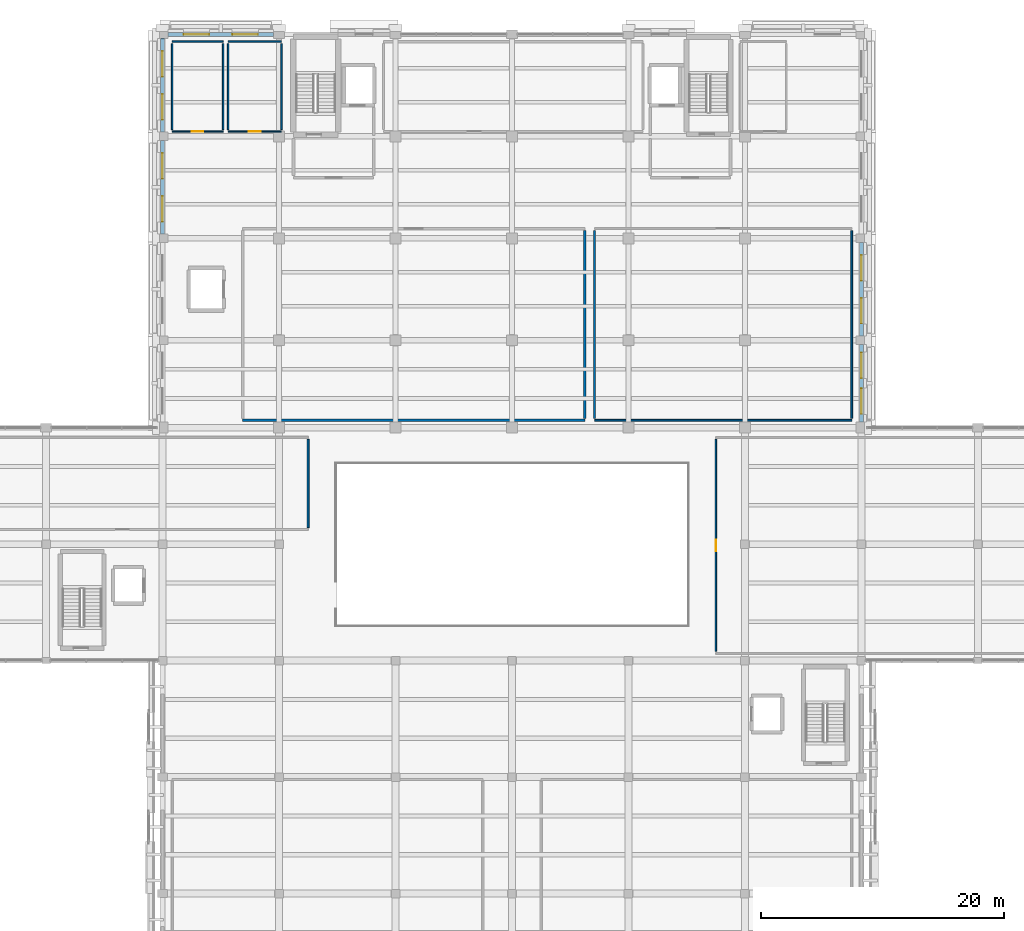
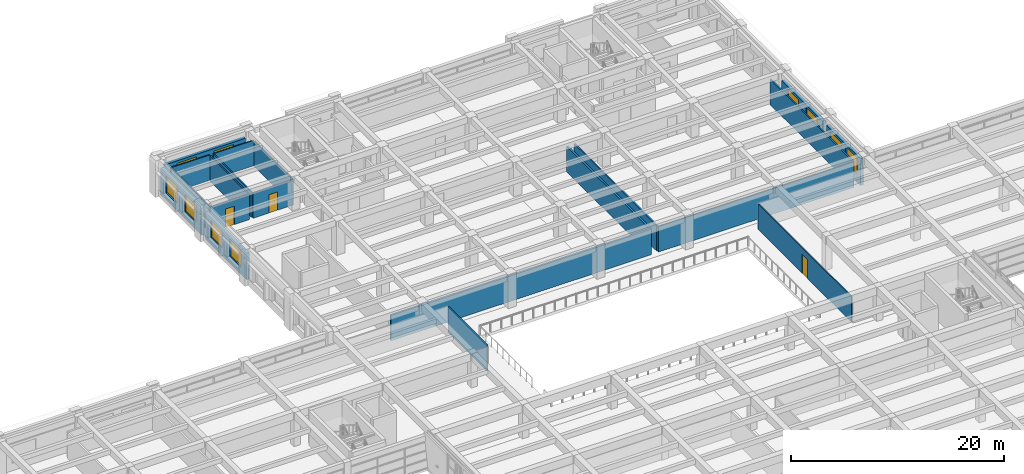
# One storey, part 46 of 62: 20 walls, 10 windows, 3 doors, 13 openings.
"""IFC4 building model written with IfcOpenShell, lengths in metres."""

from ifc_helpers import new_model, si_unit, direction, frame, frame_2d, origin, place, context, subcontext, project, spatial, rectangle, extrude, material, layer, layer_set, type_object, element, fill, save


model = new_model("IFC4")

# Units and contexts
model_context = context("Model", 3, precision=1e-05, world=origin(), true_north=direction((0.0, 1.0)))
body_context = subcontext(model_context, "Body", "Model", "MODEL_VIEW")
ifc_project = project(units=[si_unit("LENGTHUNIT", "METRE"), si_unit("AREAUNIT", "SQUARE_METRE"), si_unit("VOLUMEUNIT", "CUBIC_METRE"), si_unit("PLANEANGLEUNIT", "RADIAN"), si_unit("MASSUNIT", "GRAM", prefix="KILO")], contexts=[model_context])

# Site, building, storey
site_placement = place(None, origin())
site = spatial("IfcSite", under=ifc_project, at=site_placement, CompositionType="ELEMENT")
building_placement = place(site_placement, origin())
building = spatial("IfcBuilding", under=site, at=building_placement, Name="Bempovik Park Faculty of Sciences", CompositionType="ELEMENT")
storey_placement = place(building_placement, frame((0.0, 0.0, 9.89990234375)))
storey = spatial("IfcBuildingStorey", under=building, at=storey_placement, Name="L02", CompositionType="ELEMENT", Elevation=9.89990234375)

# Wall, opening, door
ifc_material_1 = material(Name="Gypsum acoustic stud assembly")
ifc_layer_1 = layer(ifc_material_1, 0.1201171875)
ifc_layer_set_1 = layer_set([ifc_layer_1], Name="Gypsum acoustic stud assembly")
wall_type_1 = type_object("IfcWallType", Name="W-17 Wall 120mm", PredefinedType="PARTITIONING", material=ifc_layer_set_1)
wall_1_placement = place(storey_placement, frame((105.60009765625, 68.56005859375, 0.0), z_axis=(0.0, 0.0, 1.0), x_axis=(0.0, 1.0, 0.0)))
wall_1 = element("IfcWall", 1, at=wall_1_placement, inside=storey, type_object=wall_type_1, Name="L02 Atrium East Academic Staff Offices Partition West", PredefinedType="PARTITIONING", context=body_context, shape_type="SweptSolid", body=[
    extrude(rectangle(XDim=17.47998046875, YDim=0.1201171875, at=frame_2d((8.739990234375, 0.0))), origin(), (0.0, 0.0, 1.0), 2.920166015625),
])
opening_1_placement = place(wall_1_placement, frame((8.264892578125, 0.0, 0.0)))
opening_1 = element("IfcOpeningElement", 2, at=opening_1_placement, cuts=wall_1, Name="Opening D-47", PredefinedType="OPENING", context=body_context, shape_type="SweptSolid", body=[
    extrude(rectangle(XDim=0.949951171875, YDim=2.14990234375, at=frame_2d((0.47509765625, 1.074951171875))), frame((0.0, 0.070068359375, 0.0), z_axis=(0.0, -1.0, 0.0), x_axis=(1.0, 0.0, 0.0)), (0.0, 0.0, 1.0), 0.14013671875),
])
ifc_material_2 = material(Name="West African hardwood finish", Category="wood")
door_type_1 = type_object("IfcDoorType", Name="D-47 Door 950x2150", OperationType="NOTDEFINED", PredefinedType="DOOR", material=ifc_material_2)
door_1_placement = place(opening_1_placement, origin())
door_1 = element("IfcDoor", 3, at=door_1_placement, inside=storey, type_object=door_type_1, Name="L02 Atrium East Academic Staff Offices Door", OperationType="SINGLE_SWING_LEFT", OverallHeight=2.14990234375, OverallWidth=0.949951171875, PredefinedType="DOOR", context=body_context, shape_type="SweptSolid", body=[
    extrude(rectangle(XDim=0.949951171875, YDim=2.14990234375, at=frame_2d((0.47509765625, 1.074951171875))), frame((0.0, 0.02490234375, 0.0), z_axis=(0.0, -1.0, 0.0), x_axis=(1.0, 0.0, 0.0)), (0.0, 0.0, 1.0), 0.050048828125),
])
fill(opening_1, door_1)

wall_2_placement = place(storey_placement, frame((60.800048828125, 111.39990234375, 0.0), z_axis=(0.0, 0.0, 1.0), x_axis=(1.0, 0.0, 0.0)))
wall_2 = element("IfcWall", 4, at=wall_2_placement, inside=storey, type_object=wall_type_1, Name="L02 L02 Male WC Partition South", PredefinedType="PARTITIONING", context=body_context, shape_type="SweptSolid", body=[
    extrude(rectangle(XDim=4.199951171875, YDim=0.1201171875, at=frame_2d((2.10009765625, 0.0))), origin(), (0.0, 0.0, 1.0), 2.920166015625),
])
opening_2_placement = place(wall_2_placement, frame((1.625, 0.0, 0.0)))
opening_2 = element("IfcOpeningElement", 5, at=opening_2_placement, cuts=wall_2, Name="Opening D-56", PredefinedType="OPENING", context=body_context, shape_type="SweptSolid", body=[
    extrude(rectangle(XDim=0.949951171875, YDim=2.10009765625, at=frame_2d((0.47509765625, 1.050048828125))), frame((0.0, 0.070068359375, 0.0), z_axis=(0.0, -1.0, 0.0), x_axis=(1.0, 0.0, 0.0)), (0.0, 0.0, 1.0), 0.14013671875),
])
door_type_2 = type_object("IfcDoorType", Name="D-56 Door 950x2100", OperationType="NOTDEFINED", PredefinedType="DOOR", material=ifc_material_2)
door_2_placement = place(opening_2_placement, origin())
door_2 = element("IfcDoor", 6, at=door_2_placement, inside=storey, type_object=door_type_2, Name="L02 L02 Male WC Door", OperationType="SINGLE_SWING_LEFT", OverallHeight=2.10009765625, OverallWidth=0.949951171875, PredefinedType="DOOR", context=body_context, shape_type="SweptSolid", body=[
    extrude(rectangle(XDim=0.949951171875, YDim=2.10009765625, at=frame_2d((0.47509765625, 1.050048828125))), frame((0.0, 0.02490234375, 0.0), z_axis=(0.0, -1.0, 0.0), x_axis=(1.0, 0.0, 0.0)), (0.0, 0.0, 1.0), 0.050048828125),
])
fill(opening_2, door_2)

# Walls
wall_3_placement = place(storey_placement, frame((60.800048828125, 118.800048828125, 0.0), z_axis=(0.0, 0.0, 1.0), x_axis=(1.0, 0.0, 0.0)))
element("IfcWall", 7, at=wall_3_placement, inside=storey, type_object=wall_type_1, Name="L02 L02 Male WC Partition North", PredefinedType="PARTITIONING", context=body_context, shape_type="SweptSolid", body=[
    extrude(rectangle(XDim=4.199951171875, YDim=0.1201171875, at=frame_2d((2.10009765625, 0.0))), origin(), (0.0, 0.0, 1.0), 2.920166015625),
])
for number, where, z_axis, x_axis, name in (
    (8, (60.800048828125, 111.56005859375, 0.0), (0.0, 0.0, 1.0), (0.0, 1.0, 0.0), "L02 L02 Male WC Partition West"),
    (9, (65.0, 111.56005859375, 0.0), (0.0, 0.0, 1.0), (0.0, 1.0, 0.0), "L02 L02 Male WC Partition East"),
):
    element("IfcWall", number, at=place(storey_placement, frame(where, z_axis=z_axis, x_axis=x_axis)), inside=storey, type_object=wall_type_1, Name=name, PredefinedType="PARTITIONING", context=body_context, shape_type="SweptSolid", body=[
        extrude(rectangle(XDim=7.079833984375, YDim=0.1201171875, at=frame_2d((3.5400390625, 0.0))), origin(), (0.0, 0.0, 1.0), 2.920166015625),
    ])

# Wall, opening, door
wall_4_placement = place(storey_placement, frame((65.39990234375, 111.39990234375, 0.0), z_axis=(0.0, 0.0, 1.0), x_axis=(1.0, 0.0, 0.0)))
wall_4 = element("IfcWall", 10, at=wall_4_placement, inside=storey, type_object=wall_type_1, Name="L02 L02 Female WC Partition South", PredefinedType="PARTITIONING", context=body_context, shape_type="SweptSolid", body=[
    extrude(rectangle(XDim=4.400146484375, YDim=0.1201171875, at=frame_2d((2.2001953125, 0.0))), origin(), (0.0, 0.0, 1.0), 2.920166015625),
])
opening_3_placement = place(wall_4_placement, frame((1.72509765625, 0.0, 0.0)))
opening_3 = element("IfcOpeningElement", 11, at=opening_3_placement, cuts=wall_4, Name="Opening D-56", PredefinedType="OPENING", context=body_context, shape_type="SweptSolid", body=[
    extrude(rectangle(XDim=0.949951171875, YDim=2.10009765625, at=frame_2d((0.47509765625, 1.050048828125))), frame((0.0, 0.070068359375, 0.0), z_axis=(0.0, -1.0, 0.0), x_axis=(1.0, 0.0, 0.0)), (0.0, 0.0, 1.0), 0.14013671875),
])
door_3_placement = place(opening_3_placement, origin())
door_3 = element("IfcDoor", 12, at=door_3_placement, inside=storey, type_object=door_type_2, Name="L02 L02 Female WC Door", OperationType="SINGLE_SWING_RIGHT", OverallHeight=2.10009765625, OverallWidth=0.949951171875, PredefinedType="DOOR", context=body_context, shape_type="SweptSolid", body=[
    extrude(rectangle(XDim=0.949951171875, YDim=2.10009765625, at=frame_2d((0.47509765625, 1.050048828125))), frame((0.0, 0.02490234375, 0.0), z_axis=(0.0, -1.0, 0.0), x_axis=(1.0, 0.0, 0.0)), (0.0, 0.0, 1.0), 0.050048828125),
])
fill(opening_3, door_3)

# Walls
wall_5_placement = place(storey_placement, frame((65.39990234375, 118.800048828125, 0.0), z_axis=(0.0, 0.0, 1.0), x_axis=(1.0, 0.0, 0.0)))
element("IfcWall", 13, at=wall_5_placement, inside=storey, type_object=wall_type_1, Name="L02 L02 Female WC Partition North", PredefinedType="PARTITIONING", context=body_context, shape_type="SweptSolid", body=[
    extrude(rectangle(XDim=4.400146484375, YDim=0.1201171875, at=frame_2d((2.2001953125, 0.0))), origin(), (0.0, 0.0, 1.0), 2.920166015625),
])
for number, where, z_axis, x_axis, name in (
    (14, (65.39990234375, 111.56005859375, 0.0), (0.0, 0.0, 1.0), (0.0, 1.0, 0.0), "L02 L02 Female WC Partition West"),
    (15, (69.800048828125, 111.56005859375, 0.0), (0.0, 0.0, 1.0), (0.0, 1.0, 0.0), "L02 L02 Female WC Partition East"),
):
    element("IfcWall", number, at=place(storey_placement, frame(where, z_axis=z_axis, x_axis=x_axis)), inside=storey, type_object=wall_type_1, Name=name, PredefinedType="PARTITIONING", context=body_context, shape_type="SweptSolid", body=[
        extrude(rectangle(XDim=7.079833984375, YDim=0.1201171875, at=frame_2d((3.5400390625, 0.0))), origin(), (0.0, 0.0, 1.0), 2.920166015625),
    ])
ifc_layer_2 = layer(ifc_material_1, 0.139892578125)
ifc_layer_set_2 = layer_set([ifc_layer_2], Name="Gypsum acoustic stud assembly")
wall_type_2 = type_object("IfcWallType", Name="W-21 Wall 140mm", PredefinedType="PARTITIONING", material=ifc_layer_set_2)
wall_6_placement = place(storey_placement, frame((95.60009765625, 87.60009765625, 0.0), z_axis=(0.0, 0.0, 1.0), x_axis=(1.0, 0.0, 0.0)))
element("IfcWall", 16, at=wall_6_placement, inside=storey, type_object=wall_type_2, Name="L02 Postgraduate Researcher Write-Up Suite Partition South", PredefinedType="PARTITIONING", context=body_context, shape_type="SweptSolid", body=[
    extrude(rectangle(XDim=21.199951171875, YDim=0.139892578125, at=frame_2d((10.60009765625, 0.0))), origin(), (0.0, 0.0, 1.0), 2.920166015625),
])
for number, where, z_axis, x_axis, name in (
    (17, (95.60009765625, 87.760009765625, 0.0), (0.0, 0.0, 1.0), (0.0, 1.0, 0.0), "L02 Postgraduate Researcher Write-Up Suite Partition West"),
    (18, (116.800048828125, 87.760009765625, 0.0), (0.0, 0.0, 1.0), (0.0, 1.0, 0.0), "L02 Postgraduate Researcher Write-Up Suite Partition East"),
):
    element("IfcWall", number, at=place(storey_placement, frame(where, z_axis=z_axis, x_axis=x_axis)), inside=storey, type_object=wall_type_2, Name=name, PredefinedType="PARTITIONING", context=body_context, shape_type="SweptSolid", body=[
        extrude(rectangle(XDim=15.47998046875, YDim=0.139892578125, at=frame_2d((7.739990234375, 0.0))), origin(), (0.0, 0.0, 1.0), 2.920166015625),
    ])
ifc_layer_3 = layer(ifc_material_1, 0.14990234375)
ifc_layer_set_3 = layer_set([ifc_layer_3], Name="Gypsum acoustic stud assembly")
wall_type_3 = type_object("IfcWallType", Name="W-42 Wall 150mm", PredefinedType="PARTITIONING", material=ifc_layer_set_3)
wall_7_placement = place(storey_placement, frame((72.0, 78.760009765625, 0.0), z_axis=(0.0, 0.0, 1.0), x_axis=(0.0, 1.0, 0.0)))
element("IfcWall", 19, at=wall_7_placement, inside=storey, type_object=wall_type_3, Name="L02 Atrium Bridge Seminar Room Partition East", PredefinedType="PARTITIONING", context=body_context, shape_type="SweptSolid", body=[
    extrude(rectangle(XDim=7.280029296875, YDim=0.14990234375, at=frame_2d((3.64013671875, 0.0))), origin(), (0.0, 0.0, 1.0), 2.920166015625),
])

# Wall, openings, windows
ifc_material_3 = material(Name="Precast concrete C40/50", Category="concrete")
ifc_layer_4 = layer(ifc_material_3, 0.320068359375)
ifc_layer_set_4 = layer_set([ifc_layer_4], Name="Precast concrete C40/50")
wall_type_4 = type_object("IfcWallType", Name="W-56 Wall 320mm", PredefinedType="SOLIDWALL", material=ifc_layer_set_4)
wall_8_placement = place(storey_placement, frame((60.0, 102.951904296875, 0.0), z_axis=(0.0, 0.0, 1.0), x_axis=(0.0, 1.0, 0.0)))
wall_8 = element("IfcWall", 20, at=wall_8_placement, inside=storey, type_object=wall_type_4, Name="L02 Classical Precast Facade Wall EW-L02-7566", PredefinedType="SOLIDWALL", context=body_context, shape_type="SweptSolid", body=[
    extrude(rectangle(XDim=7.696044921875, YDim=0.320068359375, at=frame_2d((3.84814453125, 0.0))), origin(), (0.0, 0.0, 1.0), 3.080078125),
])
opening_4_placement = place(wall_8_placement, frame((1.02783203125, 0.0, 0.85009765625)))
opening_4 = element("IfcOpeningElement", 21, at=opening_4_placement, cuts=wall_8, Name="Opening WN-39", PredefinedType="OPENING", context=body_context, shape_type="SweptSolid", body=[
    extrude(rectangle(XDim=2.10009765625, YDim=1.949951171875, at=frame_2d((1.050048828125, 0.97509765625))), frame((0.0, 0.169921875, 0.0), z_axis=(0.0, -1.0, 0.0), x_axis=(1.0, 0.0, 0.0)), (0.0, 0.0, 1.0), 0.340087890625),
])
opening_5_placement = place(wall_8_placement, frame((4.568115234375, 0.0, 0.85009765625)))
opening_5 = element("IfcOpeningElement", 22, at=opening_5_placement, cuts=wall_8, Name="Opening WN-39", PredefinedType="OPENING", context=body_context, shape_type="SweptSolid", body=[
    extrude(rectangle(XDim=2.10009765625, YDim=1.949951171875, at=frame_2d((1.050048828125, 0.97509765625))), frame((0.0, 0.169921875, 0.0), z_axis=(0.0, -1.0, 0.0), x_axis=(1.0, 0.0, 0.0)), (0.0, 0.0, 1.0), 0.340087890625),
])
ifc_material_4 = material(Name="Tempered laminated low-E glass", Category="glass")
window_type = type_object("IfcWindowType", Name="WN-39 Window 2100x1950", PartitioningType="SINGLE_PANEL", PredefinedType="WINDOW", material=ifc_material_4)
window_1_placement = place(opening_4_placement, origin())
window_1 = element("IfcWindow", 23, at=window_1_placement, inside=storey, type_object=window_type, Name="L02 Window EW-L02-7566-1", OverallHeight=1.949951171875, OverallWidth=2.10009765625, PartitioningType="SINGLE_PANEL", PredefinedType="WINDOW", context=body_context, shape_type="SweptSolid", body=[
    extrude(rectangle(XDim=2.10009765625, YDim=1.949951171875, at=frame_2d((1.050048828125, 0.97509765625))), frame((0.0, 0.030029296875, 0.0), z_axis=(0.0, -1.0, 0.0), x_axis=(1.0, 0.0, 0.0)), (0.0, 0.0, 1.0), 0.06005859375),
])
fill(opening_4, window_1)
window_2_placement = place(opening_5_placement, origin())
window_2 = element("IfcWindow", 24, at=window_2_placement, inside=storey, type_object=window_type, Name="L02 Window EW-L02-7566-2", OverallHeight=1.949951171875, OverallWidth=2.10009765625, PartitioningType="SINGLE_PANEL", PredefinedType="WINDOW", context=body_context, shape_type="SweptSolid", body=[
    extrude(rectangle(XDim=2.10009765625, YDim=1.949951171875, at=frame_2d((1.050048828125, 0.97509765625))), frame((0.0, 0.030029296875, 0.0), z_axis=(0.0, -1.0, 0.0), x_axis=(1.0, 0.0, 0.0)), (0.0, 0.0, 1.0), 0.06005859375),
])
fill(opening_5, window_2)

wall_9_placement = place(storey_placement, frame((60.0, 111.35205078125, 0.0), z_axis=(0.0, 0.0, 1.0), x_axis=(0.0, 1.0, 0.0)))
wall_9 = element("IfcWall", 25, at=wall_9_placement, inside=storey, type_object=wall_type_4, Name="L02 Classical Precast Facade Wall EW-L02-7579", PredefinedType="SOLIDWALL", context=body_context, shape_type="SweptSolid", body=[
    extrude(rectangle(XDim=7.696044921875, YDim=0.320068359375, at=frame_2d((3.84814453125, 0.0))), origin(), (0.0, 0.0, 1.0), 3.080078125),
])
opening_6_placement = place(wall_9_placement, frame((1.02783203125, 0.0, 0.85009765625)))
opening_6 = element("IfcOpeningElement", 26, at=opening_6_placement, cuts=wall_9, Name="Opening WN-39", PredefinedType="OPENING", context=body_context, shape_type="SweptSolid", body=[
    extrude(rectangle(XDim=2.10009765625, YDim=1.949951171875, at=frame_2d((1.050048828125, 0.97509765625))), frame((0.0, 0.169921875, 0.0), z_axis=(0.0, -1.0, 0.0), x_axis=(1.0, 0.0, 0.0)), (0.0, 0.0, 1.0), 0.340087890625),
])
opening_7_placement = place(wall_9_placement, frame((4.568115234375, 0.0, 0.85009765625)))
opening_7 = element("IfcOpeningElement", 27, at=opening_7_placement, cuts=wall_9, Name="Opening WN-39", PredefinedType="OPENING", context=body_context, shape_type="SweptSolid", body=[
    extrude(rectangle(XDim=2.10009765625, YDim=1.949951171875, at=frame_2d((1.050048828125, 0.97509765625))), frame((0.0, 0.169921875, 0.0), z_axis=(0.0, -1.0, 0.0), x_axis=(1.0, 0.0, 0.0)), (0.0, 0.0, 1.0), 0.340087890625),
])
window_3_placement = place(opening_6_placement, origin())
window_3 = element("IfcWindow", 28, at=window_3_placement, inside=storey, type_object=window_type, Name="L02 Window EW-L02-7579-1", OverallHeight=1.949951171875, OverallWidth=2.10009765625, PartitioningType="SINGLE_PANEL", PredefinedType="WINDOW", context=body_context, shape_type="SweptSolid", body=[
    extrude(rectangle(XDim=2.10009765625, YDim=1.949951171875, at=frame_2d((1.050048828125, 0.97509765625))), frame((0.0, 0.030029296875, 0.0), z_axis=(0.0, -1.0, 0.0), x_axis=(1.0, 0.0, 0.0)), (0.0, 0.0, 1.0), 0.06005859375),
])
fill(opening_6, window_3)
window_4_placement = place(opening_7_placement, origin())
window_4 = element("IfcWindow", 29, at=window_4_placement, inside=storey, type_object=window_type, Name="L02 Window EW-L02-7579-2", OverallHeight=1.949951171875, OverallWidth=2.10009765625, PartitioningType="SINGLE_PANEL", PredefinedType="WINDOW", context=body_context, shape_type="SweptSolid", body=[
    extrude(rectangle(XDim=2.10009765625, YDim=1.949951171875, at=frame_2d((1.050048828125, 0.97509765625))), frame((0.0, 0.030029296875, 0.0), z_axis=(0.0, -1.0, 0.0), x_axis=(1.0, 0.0, 0.0)), (0.0, 0.0, 1.0), 0.06005859375),
])
fill(opening_7, window_4)

wall_10_placement = place(storey_placement, frame((60.451904296875, 119.39990234375, 0.0), z_axis=(0.0, 0.0, 1.0), x_axis=(1.0, 0.0, 0.0)))
wall_10 = element("IfcWall", 30, at=wall_10_placement, inside=storey, type_object=wall_type_4, Name="L02 Classical Precast Facade Wall EW-L02-7592", PredefinedType="SOLIDWALL", context=body_context, shape_type="SweptSolid", body=[
    extrude(rectangle(XDim=8.696044921875, YDim=0.320068359375, at=frame_2d((4.34814453125, 0.0))), origin(), (0.0, 0.0, 1.0), 3.080078125),
])
opening_8_placement = place(wall_10_placement, frame((1.2978515625, 0.0, 0.85009765625)))
opening_8 = element("IfcOpeningElement", 31, at=opening_8_placement, cuts=wall_10, Name="Opening WN-39", PredefinedType="OPENING", context=body_context, shape_type="SweptSolid", body=[
    extrude(rectangle(XDim=2.10009765625, YDim=1.949951171875, at=frame_2d((1.050048828125, 0.97509765625))), frame((0.0, 0.169921875, 0.0), z_axis=(0.0, -1.0, 0.0), x_axis=(1.0, 0.0, 0.0)), (0.0, 0.0, 1.0), 0.340087890625),
])
opening_9_placement = place(wall_10_placement, frame((5.298095703125, 0.0, 0.85009765625)))
opening_9 = element("IfcOpeningElement", 32, at=opening_9_placement, cuts=wall_10, Name="Opening WN-39", PredefinedType="OPENING", context=body_context, shape_type="SweptSolid", body=[
    extrude(rectangle(XDim=2.10009765625, YDim=1.949951171875, at=frame_2d((1.050048828125, 0.97509765625))), frame((0.0, 0.169921875, 0.0), z_axis=(0.0, -1.0, 0.0), x_axis=(1.0, 0.0, 0.0)), (0.0, 0.0, 1.0), 0.340087890625),
])
window_5_placement = place(opening_8_placement, origin())
window_5 = element("IfcWindow", 33, at=window_5_placement, inside=storey, type_object=window_type, Name="L02 Window EW-L02-7592-1", OverallHeight=1.949951171875, OverallWidth=2.10009765625, PartitioningType="SINGLE_PANEL", PredefinedType="WINDOW", context=body_context, shape_type="SweptSolid", body=[
    extrude(rectangle(XDim=2.10009765625, YDim=1.949951171875, at=frame_2d((1.050048828125, 0.97509765625))), frame((0.0, 0.030029296875, 0.0), z_axis=(0.0, -1.0, 0.0), x_axis=(1.0, 0.0, 0.0)), (0.0, 0.0, 1.0), 0.06005859375),
])
fill(opening_8, window_5)
window_6_placement = place(opening_9_placement, origin())
window_6 = element("IfcWindow", 34, at=window_6_placement, inside=storey, type_object=window_type, Name="L02 Window EW-L02-7592-2", OverallHeight=1.949951171875, OverallWidth=2.10009765625, PartitioningType="SINGLE_PANEL", PredefinedType="WINDOW", context=body_context, shape_type="SweptSolid", body=[
    extrude(rectangle(XDim=2.10009765625, YDim=1.949951171875, at=frame_2d((1.050048828125, 0.97509765625))), frame((0.0, 0.030029296875, 0.0), z_axis=(0.0, -1.0, 0.0), x_axis=(1.0, 0.0, 0.0)), (0.0, 0.0, 1.0), 0.06005859375),
])
fill(opening_9, window_6)

wall_11_placement = place(storey_placement, frame((117.60009765625, 87.451904296875, 0.0), z_axis=(0.0, 0.0, 1.0), x_axis=(0.0, 1.0, 0.0)))
wall_11 = element("IfcWall", 35, at=wall_11_placement, inside=storey, type_object=wall_type_4, Name="L02 Classical Precast Facade Wall EW-L02-7668", PredefinedType="SOLIDWALL", context=body_context, shape_type="SweptSolid", body=[
    extrude(rectangle(XDim=6.39599609375, YDim=0.320068359375, at=frame_2d((3.197998046875, 0.0))), origin(), (0.0, 0.0, 1.0), 3.080078125),
])
opening_10_placement = place(wall_11_placement, frame((0.677001953125, 0.0, 0.85009765625)))
opening_10 = element("IfcOpeningElement", 36, at=opening_10_placement, cuts=wall_11, Name="Opening WN-39", PredefinedType="OPENING", context=body_context, shape_type="SweptSolid", body=[
    extrude(rectangle(XDim=2.10009765625, YDim=1.949951171875, at=frame_2d((1.050048828125, 0.97509765625))), frame((0.0, 0.169921875, 0.0), z_axis=(0.0, -1.0, 0.0), x_axis=(1.0, 0.0, 0.0)), (0.0, 0.0, 1.0), 0.340087890625),
])
opening_11_placement = place(wall_11_placement, frame((3.619140625, 0.0, 0.85009765625)))
opening_11 = element("IfcOpeningElement", 37, at=opening_11_placement, cuts=wall_11, Name="Opening WN-39", PredefinedType="OPENING", context=body_context, shape_type="SweptSolid", body=[
    extrude(rectangle(XDim=2.10009765625, YDim=1.949951171875, at=frame_2d((1.050048828125, 0.97509765625))), frame((0.0, 0.169921875, 0.0), z_axis=(0.0, -1.0, 0.0), x_axis=(1.0, 0.0, 0.0)), (0.0, 0.0, 1.0), 0.340087890625),
])
window_7_placement = place(opening_10_placement, origin())
window_7 = element("IfcWindow", 38, at=window_7_placement, inside=storey, type_object=window_type, Name="L02 Window EW-L02-7668-1", OverallHeight=1.949951171875, OverallWidth=2.10009765625, PartitioningType="SINGLE_PANEL", PredefinedType="WINDOW", context=body_context, shape_type="SweptSolid", body=[
    extrude(rectangle(XDim=2.10009765625, YDim=1.949951171875, at=frame_2d((1.050048828125, 0.97509765625))), frame((0.0, 0.030029296875, 0.0), z_axis=(0.0, -1.0, 0.0), x_axis=(1.0, 0.0, 0.0)), (0.0, 0.0, 1.0), 0.06005859375),
])
fill(opening_10, window_7)
window_8_placement = place(opening_11_placement, origin())
window_8 = element("IfcWindow", 39, at=window_8_placement, inside=storey, type_object=window_type, Name="L02 Window EW-L02-7668-2", OverallHeight=1.949951171875, OverallWidth=2.10009765625, PartitioningType="SINGLE_PANEL", PredefinedType="WINDOW", context=body_context, shape_type="SweptSolid", body=[
    extrude(rectangle(XDim=2.10009765625, YDim=1.949951171875, at=frame_2d((1.050048828125, 0.97509765625))), frame((0.0, 0.030029296875, 0.0), z_axis=(0.0, -1.0, 0.0), x_axis=(1.0, 0.0, 0.0)), (0.0, 0.0, 1.0), 0.06005859375),
])
fill(opening_11, window_8)

wall_12_placement = place(storey_placement, frame((117.60009765625, 94.552001953125, 0.0), z_axis=(0.0, 0.0, 1.0), x_axis=(0.0, 1.0, 0.0)))
wall_12 = element("IfcWall", 40, at=wall_12_placement, inside=storey, type_object=wall_type_4, Name="L02 Classical Precast Facade Wall EW-L02-7682", PredefinedType="SOLIDWALL", context=body_context, shape_type="SweptSolid", body=[
    extrude(rectangle(XDim=7.696044921875, YDim=0.320068359375, at=frame_2d((3.84814453125, 0.0))), origin(), (0.0, 0.0, 1.0), 3.080078125),
])
opening_12_placement = place(wall_12_placement, frame((1.02783203125, 0.0, 0.85009765625)))
opening_12 = element("IfcOpeningElement", 41, at=opening_12_placement, cuts=wall_12, Name="Opening WN-39", PredefinedType="OPENING", context=body_context, shape_type="SweptSolid", body=[
    extrude(rectangle(XDim=2.10009765625, YDim=1.949951171875, at=frame_2d((1.050048828125, 0.97509765625))), frame((0.0, 0.169921875, 0.0), z_axis=(0.0, -1.0, 0.0), x_axis=(1.0, 0.0, 0.0)), (0.0, 0.0, 1.0), 0.340087890625),
])
opening_13_placement = place(wall_12_placement, frame((4.568115234375, 0.0, 0.85009765625)))
opening_13 = element("IfcOpeningElement", 42, at=opening_13_placement, cuts=wall_12, Name="Opening WN-39", PredefinedType="OPENING", context=body_context, shape_type="SweptSolid", body=[
    extrude(rectangle(XDim=2.10009765625, YDim=1.949951171875, at=frame_2d((1.050048828125, 0.97509765625))), frame((0.0, 0.169921875, 0.0), z_axis=(0.0, -1.0, 0.0), x_axis=(1.0, 0.0, 0.0)), (0.0, 0.0, 1.0), 0.340087890625),
])
window_9_placement = place(opening_12_placement, origin())
window_9 = element("IfcWindow", 43, at=window_9_placement, inside=storey, type_object=window_type, Name="L02 Window EW-L02-7682-1", OverallHeight=1.949951171875, OverallWidth=2.10009765625, PartitioningType="SINGLE_PANEL", PredefinedType="WINDOW", context=body_context, shape_type="SweptSolid", body=[
    extrude(rectangle(XDim=2.10009765625, YDim=1.949951171875, at=frame_2d((1.050048828125, 0.97509765625))), frame((0.0, 0.030029296875, 0.0), z_axis=(0.0, -1.0, 0.0), x_axis=(1.0, 0.0, 0.0)), (0.0, 0.0, 1.0), 0.06005859375),
])
fill(opening_12, window_9)
window_10_placement = place(opening_13_placement, origin())
window_10 = element("IfcWindow", 44, at=window_10_placement, inside=storey, type_object=window_type, Name="L02 Window EW-L02-7682-2", OverallHeight=1.949951171875, OverallWidth=2.10009765625, PartitioningType="SINGLE_PANEL", PredefinedType="WINDOW", context=body_context, shape_type="SweptSolid", body=[
    extrude(rectangle(XDim=2.10009765625, YDim=1.949951171875, at=frame_2d((1.050048828125, 0.97509765625))), frame((0.0, 0.030029296875, 0.0), z_axis=(0.0, -1.0, 0.0), x_axis=(1.0, 0.0, 0.0)), (0.0, 0.0, 1.0), 0.06005859375),
])
fill(opening_13, window_10)

# Walls
ifc_material_5 = material(Name="Concrete C35/45", Category="concrete")
ifc_layer_5 = layer(ifc_material_5, 0.199951171875)
ifc_layer_set_5 = layer_set([ifc_layer_5], Name="Concrete C35/45")
wall_type_5 = type_object("IfcWallType", Name="W-59 Wall 200mm", PredefinedType="PARTITIONING", material=ifc_layer_set_5)
wall_13_placement = place(storey_placement, frame((66.60009765625, 87.60009765625, 0.0), z_axis=(0.0, 0.0, 1.0), x_axis=(1.0, 0.0, 0.0)))
element("IfcWall", 45, at=wall_13_placement, inside=storey, type_object=wall_type_5, Name="L02 Inorganic Synthesis Research Laboratory Partition South", PredefinedType="PARTITIONING", context=body_context, shape_type="SweptSolid", body=[
    extrude(rectangle(XDim=28.199951171875, YDim=0.199951171875, at=frame_2d((14.10009765625, 0.0))), origin(), (0.0, 0.0, 1.0), 2.920166015625),
])
wall_14_placement = place(storey_placement, frame((94.800048828125, 87.760009765625, 0.0), z_axis=(0.0, 0.0, 1.0), x_axis=(0.0, 1.0, 0.0)))
element("IfcWall", 46, at=wall_14_placement, inside=storey, type_object=wall_type_5, Name="L02 Inorganic Synthesis Research Laboratory Partition East", PredefinedType="PARTITIONING", context=body_context, shape_type="SweptSolid", body=[
    extrude(rectangle(XDim=15.47998046875, YDim=0.199951171875, at=frame_2d((7.739990234375, 0.0))), origin(), (0.0, 0.0, 1.0), 2.920166015625),
])

save(model, "model.ifc")
